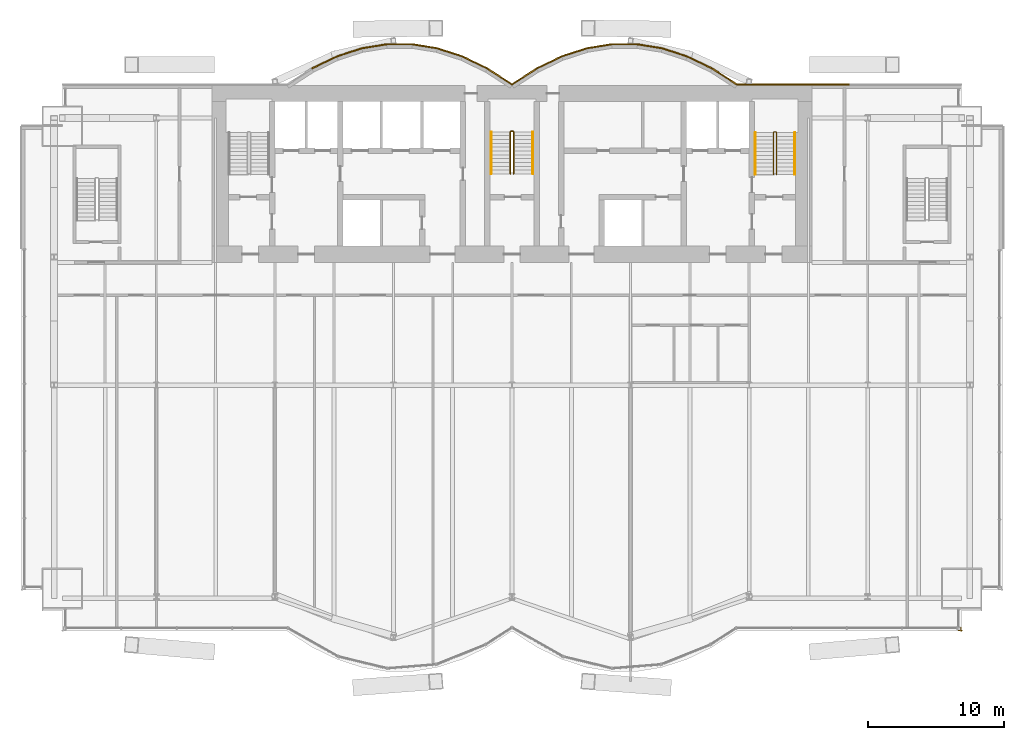
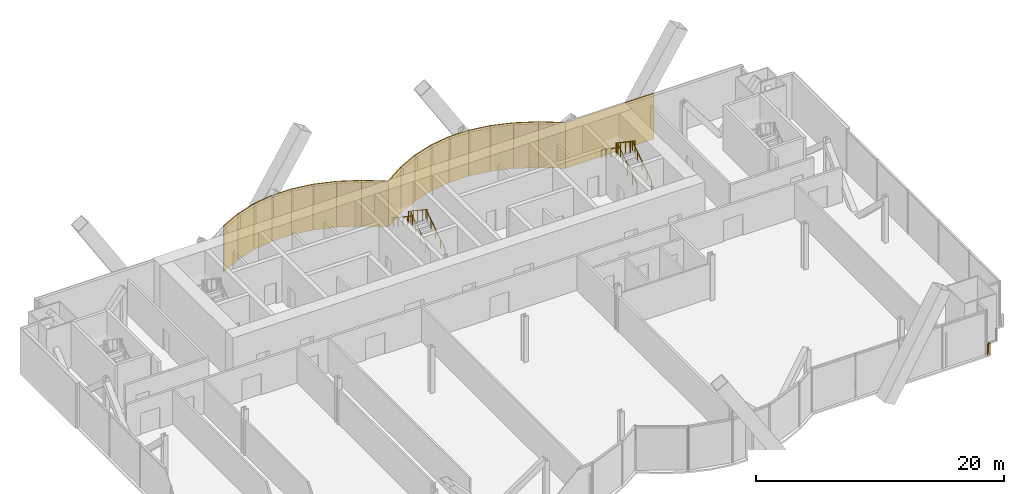
# One storey, part 21 of 22: 18 coverings, 7 railings.
"""IFC4 building model written with IfcOpenShell, lengths in metres."""

from ifc_helpers import new_model, si_unit, direction, frame, origin, origin_2d, place, context, subcontext, project, spatial, rectangle, circle, extrude, material, layer, layer_set, type_object, element, save


model = new_model("IFC4")

# Units and contexts
model_context = context("Model", 3, precision=1e-05, world=origin(), true_north=direction((0.0, 1.0)))
body_context = subcontext(model_context, "Body", "Model", "MODEL_VIEW")
ifc_project = project(units=[si_unit("LENGTHUNIT", "METRE"), si_unit("AREAUNIT", "SQUARE_METRE"), si_unit("VOLUMEUNIT", "CUBIC_METRE"), si_unit("PLANEANGLEUNIT", "RADIAN"), si_unit("MASSUNIT", "GRAM", prefix="KILO")], contexts=[model_context])

# Site, building, storey
site_placement = place(None, origin())
site = spatial("IfcSite", under=ifc_project, at=site_placement, CompositionType="ELEMENT")
building_placement = place(site_placement, origin())
building = spatial("IfcBuilding", under=site, at=building_placement, Name="Bicima Exchange Tower", CompositionType="ELEMENT")
storey_placement = place(building_placement, frame((0.0, 0.0, 71.0)))
storey = spatial("IfcBuildingStorey", under=building, at=storey_placement, Name="L14", CompositionType="ELEMENT", Elevation=71.0)

# Coverings
ifc_material_1 = material(Name="Bronze metal cladding")
ifc_layer_1 = layer(ifc_material_1, 0.004)
ifc_material_2 = material(Name="Ventilated cavity")
ifc_layer_2 = layer(ifc_material_2, 0.06)
ifc_material_3 = material(Name="Galvanised steel rail and mineral wool", Category="steel")
ifc_layer_3 = layer(ifc_material_3, 0.036)
ifc_layer_set = layer_set([ifc_layer_1, ifc_layer_2, ifc_layer_3], Name="Ventilated cavity")
covering_type = type_object("IfcCoveringType", Name="Bronze metal cladding panel 100", PredefinedType="CLADDING", material=ifc_layer_set)
covering_1_placement = place(storey_placement, frame((20.625, 0.050048828125, -0.14990234375), z_axis=(0.0, 0.0, 1.0), x_axis=(-1.0, 0.0, 0.0)))
element("IfcCovering", 1, at=covering_1_placement, inside=storey, type_object=covering_type, Name="Bronze cladding L14 1.2", PredefinedType="CLADDING", context=body_context, shape_type="SweptSolid", body=[
    extrude(rectangle(XDim=8.25, YDim=0.10009765625, at=origin_2d()), origin(), (0.0, 0.0, 1.0), 4.5),
])
covering_2_placement = place(storey_placement, frame((15.610595703125, 0.634521484375, -0.14990234375), z_axis=(0.0, 0.0, 1.0), x_axis=(-0.839790466384, 0.542910648791, 0.0)))
element("IfcCovering", 2, at=covering_2_placement, inside=storey, type_object=covering_type, Name="Bronze cladding L14 2.1", PredefinedType="CLADDING", context=body_context, shape_type="SweptSolid", body=[
    extrude(rectangle(XDim=2.18310546875, YDim=0.10009765625, at=origin_2d()), origin(), (0.0, 0.0, 1.0), 4.5),
])
covering_3_placement = place(storey_placement, frame((13.771728515625, 1.674560546875, -0.14990234375), z_axis=(0.0, 0.0, 1.0), x_axis=(-0.899818346812, 0.436264762204, 0.0)))
element("IfcCovering", 3, at=covering_3_placement, inside=storey, type_object=covering_type, Name="Bronze cladding L14 3.1", PredefinedType="CLADDING", context=body_context, shape_type="SweptSolid", body=[
    extrude(rectangle(XDim=2.03759765625, YDim=0.10009765625, at=origin_2d()), origin(), (0.0, 0.0, 1.0), 4.5),
])
covering_4_placement = place(storey_placement, frame((11.931884765625, 2.41796875, -0.14990234375), z_axis=(0.0, 0.0, 1.0), x_axis=(-0.951524642381, 0.307572519808, 0.0)))
element("IfcCovering", 4, at=covering_4_placement, inside=storey, type_object=covering_type, Name="Bronze cladding L14 4.1", PredefinedType="CLADDING", context=body_context, shape_type="SweptSolid", body=[
    extrude(rectangle(XDim=1.9267578125, YDim=0.10009765625, at=origin_2d()), origin(), (0.0, 0.0, 1.0), 4.5),
])
covering_5_placement = place(storey_placement, frame((10.09130859375, 2.8642578125, -0.14990234375), z_axis=(0.0, 0.0, 1.0), x_axis=(-0.987189786347, 0.159550386184, 0.0)))
element("IfcCovering", 5, at=covering_5_placement, inside=storey, type_object=covering_type, Name="Bronze cladding L14 5.1", PredefinedType="CLADDING", context=body_context, shape_type="SweptSolid", body=[
    extrude(rectangle(XDim=1.857177734375, YDim=0.10009765625, at=origin_2d()), origin(), (0.0, 0.0, 1.0), 4.5),
])
covering_6_placement = place(storey_placement, frame((8.25, 3.012939453125, -0.14990234375), z_axis=(0.0, 0.0, 1.0), x_axis=(-1.0, 0.0, 0.0)))
element("IfcCovering", 6, at=covering_6_placement, inside=storey, type_object=covering_type, Name="Bronze cladding L14 6.1", PredefinedType="CLADDING", context=body_context, shape_type="SweptSolid", body=[
    extrude(rectangle(XDim=1.83349609375, YDim=0.10009765625, at=origin_2d()), origin(), (0.0, 0.0, 1.0), 4.5),
])
covering_7_placement = place(storey_placement, frame((6.40869140625, 2.8642578125, -0.14990234375), z_axis=(0.0, 0.0, 1.0), x_axis=(-0.987189786347, -0.159550386184, 0.0)))
element("IfcCovering", 7, at=covering_7_placement, inside=storey, type_object=covering_type, Name="Bronze cladding L14 7.1", PredefinedType="CLADDING", context=body_context, shape_type="SweptSolid", body=[
    extrude(rectangle(XDim=1.857177734375, YDim=0.10009765625, at=origin_2d()), origin(), (0.0, 0.0, 1.0), 4.5),
])
covering_8_placement = place(storey_placement, frame((4.568115234375, 2.41796875, -0.14990234375), z_axis=(0.0, 0.0, 1.0), x_axis=(-0.951524642381, -0.307572519808, 0.0)))
element("IfcCovering", 8, at=covering_8_placement, inside=storey, type_object=covering_type, Name="Bronze cladding L14 8.1", PredefinedType="CLADDING", context=body_context, shape_type="SweptSolid", body=[
    extrude(rectangle(XDim=1.9267578125, YDim=0.10009765625, at=origin_2d()), origin(), (0.0, 0.0, 1.0), 4.5),
])
covering_9_placement = place(storey_placement, frame((2.728271484375, 1.674560546875, -0.14990234375), z_axis=(0.0, 0.0, 1.0), x_axis=(-0.899818346812, -0.436264762204, 0.0)))
element("IfcCovering", 9, at=covering_9_placement, inside=storey, type_object=covering_type, Name="Bronze cladding L14 9.1", PredefinedType="CLADDING", context=body_context, shape_type="SweptSolid", body=[
    extrude(rectangle(XDim=2.03759765625, YDim=0.10009765625, at=origin_2d()), origin(), (0.0, 0.0, 1.0), 4.5),
])
for number, where, z_axis, x_axis, name in (
    (10, (0.889404296875, 0.634521484375, -0.14990234375), (0.0, 0.0, 1.0), (-0.839790466384, -0.542910648791, 0.0), "Bronze cladding L14 10.1"),
    (11, (-0.889404296875, 0.634521484375, -0.14990234375), (0.0, 0.0, 1.0), (-0.839790466384, 0.542910648791, 0.0), "Bronze cladding L14 11.1"),
):
    element("IfcCovering", number, at=place(storey_placement, frame(where, z_axis=z_axis, x_axis=x_axis)), inside=storey, type_object=covering_type, Name=name, PredefinedType="CLADDING", context=body_context, shape_type="SweptSolid", body=[
        extrude(rectangle(XDim=2.18310546875, YDim=0.10009765625, at=origin_2d()), origin(), (0.0, 0.0, 1.0), 4.5),
    ])
covering_10_placement = place(storey_placement, frame((-2.728271484375, 1.674560546875, -0.14990234375), z_axis=(0.0, 0.0, 1.0), x_axis=(-0.899818346812, 0.436264762204, 0.0)))
element("IfcCovering", 12, at=covering_10_placement, inside=storey, type_object=covering_type, Name="Bronze cladding L14 12.1", PredefinedType="CLADDING", context=body_context, shape_type="SweptSolid", body=[
    extrude(rectangle(XDim=2.03759765625, YDim=0.10009765625, at=origin_2d()), origin(), (0.0, 0.0, 1.0), 4.5),
])
covering_11_placement = place(storey_placement, frame((-4.568115234375, 2.41796875, -0.14990234375), z_axis=(0.0, 0.0, 1.0), x_axis=(-0.951524642381, 0.307572519808, 0.0)))
element("IfcCovering", 13, at=covering_11_placement, inside=storey, type_object=covering_type, Name="Bronze cladding L14 13.1", PredefinedType="CLADDING", context=body_context, shape_type="SweptSolid", body=[
    extrude(rectangle(XDim=1.9267578125, YDim=0.10009765625, at=origin_2d()), origin(), (0.0, 0.0, 1.0), 4.5),
])
covering_12_placement = place(storey_placement, frame((-6.40869140625, 2.8642578125, -0.14990234375), z_axis=(0.0, 0.0, 1.0), x_axis=(-0.987189786347, 0.159550386184, 0.0)))
element("IfcCovering", 14, at=covering_12_placement, inside=storey, type_object=covering_type, Name="Bronze cladding L14 14.1", PredefinedType="CLADDING", context=body_context, shape_type="SweptSolid", body=[
    extrude(rectangle(XDim=1.857177734375, YDim=0.10009765625, at=origin_2d()), origin(), (0.0, 0.0, 1.0), 4.5),
])
covering_13_placement = place(storey_placement, frame((-8.25, 3.012939453125, -0.14990234375), z_axis=(0.0, 0.0, 1.0), x_axis=(-1.0, 0.0, 0.0)))
element("IfcCovering", 15, at=covering_13_placement, inside=storey, type_object=covering_type, Name="Bronze cladding L14 15.1", PredefinedType="CLADDING", context=body_context, shape_type="SweptSolid", body=[
    extrude(rectangle(XDim=1.83349609375, YDim=0.10009765625, at=origin_2d()), origin(), (0.0, 0.0, 1.0), 4.5),
])
covering_14_placement = place(storey_placement, frame((-10.09130859375, 2.8642578125, -0.14990234375), z_axis=(0.0, 0.0, 1.0), x_axis=(-0.987189786347, -0.159550386184, 0.0)))
element("IfcCovering", 16, at=covering_14_placement, inside=storey, type_object=covering_type, Name="Bronze cladding L14 16.1", PredefinedType="CLADDING", context=body_context, shape_type="SweptSolid", body=[
    extrude(rectangle(XDim=1.857177734375, YDim=0.10009765625, at=origin_2d()), origin(), (0.0, 0.0, 1.0), 4.5),
])
covering_15_placement = place(storey_placement, frame((-11.931884765625, 2.41796875, -0.14990234375), z_axis=(0.0, 0.0, 1.0), x_axis=(-0.951524642381, -0.307572519808, 0.0)))
element("IfcCovering", 17, at=covering_15_placement, inside=storey, type_object=covering_type, Name="Bronze cladding L14 17.1", PredefinedType="CLADDING", context=body_context, shape_type="SweptSolid", body=[
    extrude(rectangle(XDim=1.9267578125, YDim=0.10009765625, at=origin_2d()), origin(), (0.0, 0.0, 1.0), 4.5),
])
covering_16_placement = place(storey_placement, frame((-13.771728515625, 1.674560546875, -0.14990234375), z_axis=(0.0, 0.0, 1.0), x_axis=(-0.899818346812, -0.436264762204, 0.0)))
element("IfcCovering", 18, at=covering_16_placement, inside=storey, type_object=covering_type, Name="Bronze cladding L14 18.1", PredefinedType="CLADDING", context=body_context, shape_type="SweptSolid", body=[
    extrude(rectangle(XDim=2.03759765625, YDim=0.10009765625, at=origin_2d()), origin(), (0.0, 0.0, 1.0), 4.5),
])

# Railings
ifc_material_4 = material(Name="Stainless steel and bonded safety glass", Category="steel")
railing_type_1 = type_object("IfcRailingType", Name="Edge guard 1100", PredefinedType="GUARDRAIL", material=ifc_material_4)
railing_1_placement = place(storey_placement, frame((32.949951171875, -39.798095703125, 0.0)))
element("IfcRailing", 19, at=railing_1_placement, inside=storey, type_object=railing_type_1, Name="Edge guard L14 66", PredefinedType="GUARDRAIL", context=body_context, shape_type="SweptSolid", body=[
    extrude(circle(Radius=0.02392578125, at=origin_2d()), frame((0.0, 0.0, 1.076171875), z_axis=(0.0, -1.0, 0.0), x_axis=(1.0, 0.0, 0.0)), (0.0, 0.0, 1.0), 0.25),
    extrude(circle(Radius=0.02392578125, at=origin_2d()), frame((0.0, -0.25, 1.076171875), z_axis=(0.707106781187, 0.707106781187, 0.0), x_axis=(-0.707106781187, 0.707106781187, 0.0)), (0.0, 0.0, 1.0), 0.07080078125),
    extrude(circle(Radius=0.02392578125, at=origin_2d()), frame((0.050048828125, -0.199951171875, 1.076171875), z_axis=(-1.0, 0.0, 0.0), x_axis=(0.0, -1.0, 0.0)), (0.0, 0.0, 1.0), 0.25),
    extrude(circle(Radius=0.02099609375, at=origin_2d()), origin(), (0.0, 0.0, 1.0), 1.052001953125),
    extrude(circle(Radius=0.02099609375, at=origin_2d()), frame((0.0, -0.25, 0.0)), (0.0, 0.0, 1.0), 1.052001953125),
    extrude(circle(Radius=0.02099609375, at=origin_2d()), frame((0.050048828125, -0.199951171875, 0.0)), (0.0, 0.0, 1.0), 1.052001953125),
    extrude(circle(Radius=0.02099609375, at=origin_2d()), frame((-0.199951171875, -0.199951171875, 0.0)), (0.0, 0.0, 1.0), 1.052001953125),
])
ifc_material_5 = material(Name="Stainless steel", Category="steel")
railing_type_2 = type_object("IfcRailingType", Name="Stair guard 1100", PredefinedType="GUARDRAIL", material=ifc_material_5)
railing_2_placement = place(storey_placement, frame((0.125, -6.5, 0.1875)))
element("IfcRailing", 20, at=railing_2_placement, inside=storey, type_object=railing_type_2, Name="L14 ST-C stair guard 1", PredefinedType="GUARDRAIL", context=body_context, shape_type="SweptSolid", body=[
    extrude(circle(Radius=0.02392578125, at=origin_2d()), frame((0.0, 0.0, 1.076171875), z_axis=(0.0, 0.830913701846, 0.55640131208), x_axis=(-1.0, 0.0, 0.0)), (0.0, 0.0, 1.0), 3.706787109375),
    extrude(circle(Radius=0.02392578125, at=origin_2d()), frame((0.0, 3.080078125, 3.138671875), z_axis=(-0.708833529934, 0.705375805398, 0.0), x_axis=(-0.705375805398, -0.708833529934, 0.0)), (0.0, 0.0, 1.0), 0.070556640625),
    extrude(circle(Radius=0.02392578125, at=origin_2d()), frame((-0.050048828125, 3.1298828125, 3.138671875), z_axis=(-1.0, 0.0, 0.0), x_axis=(0.0, -1.0, 0.0)), (0.0, 0.0, 1.0), 0.14990234375),
    extrude(circle(Radius=0.02392578125, at=origin_2d()), frame((-0.199951171875, 3.1298828125, 3.138671875), z_axis=(-0.249802250048, -0.248583702486, 0.935844527007), x_axis=(0.705375805398, -0.708833529934, 0.0)), (0.0, 0.0, 1.0), 0.200439453125),
    extrude(circle(Radius=0.02392578125, at=origin_2d()), frame((-0.25, 3.080078125, 3.326171875), z_axis=(0.0, -0.830913701846, 0.55640131208), x_axis=(1.0, 0.0, 0.0)), (0.0, 0.0, 1.0), 3.706787109375),
    extrude(circle(Radius=0.02099609375, at=origin_2d()), origin(), (0.0, 0.0, 1.0), 1.052001953125),
    extrude(circle(Radius=0.02099609375, at=origin_2d()), frame((0.0, 0.77001953125, 0.515625)), (0.0, 0.0, 1.0), 1.052001953125),
    extrude(circle(Radius=0.02099609375, at=origin_2d()), frame((0.0, 1.5400390625, 1.03125)), (0.0, 0.0, 1.0), 1.052001953125),
    extrude(circle(Radius=0.02099609375, at=origin_2d()), frame((0.0, 2.31005859375, 1.546875)), (0.0, 0.0, 1.0), 1.052001953125),
    extrude(circle(Radius=0.02099609375, at=origin_2d()), frame((0.0, 3.080078125, 2.0625)), (0.0, 0.0, 1.0), 1.052001953125),
    extrude(circle(Radius=0.02099609375, at=origin_2d()), frame((-0.050048828125, 3.1298828125, 2.0625)), (0.0, 0.0, 1.0), 1.052001953125),
    extrude(circle(Radius=0.02099609375, at=origin_2d()), frame((-0.199951171875, 3.1298828125, 2.0625)), (0.0, 0.0, 1.0), 1.052001953125),
    extrude(circle(Radius=0.02099609375, at=origin_2d()), frame((-0.25, 3.080078125, 2.25)), (0.0, 0.0, 1.0), 1.052001953125),
    extrude(circle(Radius=0.02099609375, at=origin_2d()), frame((-0.25, 2.31005859375, 2.765625)), (0.0, 0.0, 1.0), 1.052001953125),
    extrude(circle(Radius=0.02099609375, at=origin_2d()), frame((-0.25, 1.5400390625, 3.28125)), (0.0, 0.0, 1.0), 1.052001953125),
    extrude(circle(Radius=0.02099609375, at=origin_2d()), frame((-0.25, 0.77001953125, 3.796875)), (0.0, 0.0, 1.0), 1.052001953125),
    extrude(circle(Radius=0.02099609375, at=origin_2d()), frame((-0.25, 0.0, 4.3125)), (0.0, 0.0, 1.0), 1.052001953125),
])
railing_3_placement = place(storey_placement, frame((19.39990234375, -6.550048828125, 0.1875)))
element("IfcRailing", 21, at=railing_3_placement, inside=storey, type_object=railing_type_2, Name="L14 ST-E stair guard 1", PredefinedType="GUARDRAIL", context=body_context, shape_type="SweptSolid", body=[
    extrude(circle(Radius=0.02392578125, at=origin_2d()), frame((0.0, 0.0, 1.076171875), z_axis=(0.0, 0.830913701846, 0.55640131208), x_axis=(-1.0, 0.0, 0.0)), (0.0, 0.0, 1.0), 3.706787109375),
    extrude(circle(Radius=0.02392578125, at=origin_2d()), frame((0.0, 3.080078125, 3.138671875), z_axis=(-0.705375805398, 0.708833529934, 0.0), x_axis=(-0.708833529934, -0.705375805398, 0.0)), (0.0, 0.0, 1.0), 0.070556640625),
    extrude(circle(Radius=0.02392578125, at=origin_2d()), frame((-0.0498046875, 3.130126953125, 3.138671875), z_axis=(-1.0, 0.0, 0.0), x_axis=(0.0, -1.0, 0.0)), (0.0, 0.0, 1.0), 0.10009765625),
    extrude(circle(Radius=0.02392578125, at=origin_2d()), frame((-0.14990234375, 3.130126953125, 3.138671875), z_axis=(-0.249726431254, -0.249726431254, 0.935560483917), x_axis=(0.707106781187, -0.707106781187, 0.0)), (0.0, 0.0, 1.0), 0.200439453125),
    extrude(circle(Radius=0.02392578125, at=origin_2d()), frame((-0.199951171875, 3.080078125, 3.326171875), z_axis=(0.0, -0.830913701846, 0.55640131208), x_axis=(1.0, 0.0, 0.0)), (0.0, 0.0, 1.0), 3.706787109375),
    extrude(circle(Radius=0.02099609375, at=origin_2d()), origin(), (0.0, 0.0, 1.0), 1.052001953125),
    extrude(circle(Radius=0.02099609375, at=origin_2d()), frame((0.0, 0.77001953125, 0.515625)), (0.0, 0.0, 1.0), 1.052001953125),
    extrude(circle(Radius=0.02099609375, at=origin_2d()), frame((0.0, 1.5400390625, 1.03125)), (0.0, 0.0, 1.0), 1.052001953125),
    extrude(circle(Radius=0.02099609375, at=origin_2d()), frame((0.0, 2.31005859375, 1.546875)), (0.0, 0.0, 1.0), 1.052001953125),
    extrude(circle(Radius=0.02099609375, at=origin_2d()), frame((0.0, 3.080078125, 2.0625)), (0.0, 0.0, 1.0), 1.052001953125),
    extrude(circle(Radius=0.02099609375, at=origin_2d()), frame((-0.0498046875, 3.130126953125, 2.0625)), (0.0, 0.0, 1.0), 1.052001953125),
    extrude(circle(Radius=0.02099609375, at=origin_2d()), frame((-0.14990234375, 3.130126953125, 2.0625)), (0.0, 0.0, 1.0), 1.052001953125),
    extrude(circle(Radius=0.02099609375, at=origin_2d()), frame((-0.199951171875, 3.080078125, 2.25)), (0.0, 0.0, 1.0), 1.052001953125),
    extrude(circle(Radius=0.02099609375, at=origin_2d()), frame((-0.199951171875, 2.31005859375, 2.765625)), (0.0, 0.0, 1.0), 1.052001953125),
    extrude(circle(Radius=0.02099609375, at=origin_2d()), frame((-0.199951171875, 1.5400390625, 3.28125)), (0.0, 0.0, 1.0), 1.052001953125),
    extrude(circle(Radius=0.02099609375, at=origin_2d()), frame((-0.199951171875, 0.77001953125, 3.796875)), (0.0, 0.0, 1.0), 1.052001953125),
    extrude(circle(Radius=0.02099609375, at=origin_2d()), frame((-0.199951171875, 0.0, 4.3125)), (0.0, 0.0, 1.0), 1.052001953125),
])
railing_type_3 = type_object("IfcRailingType", Name="Stair handrail 900", PredefinedType="HANDRAIL", material=ifc_material_5)
railing_4_placement = place(storey_placement, frame((1.52490234375, -6.5, 0.1875)))
element("IfcRailing", 22, at=railing_4_placement, inside=storey, type_object=railing_type_3, Name="L14 ST-C stair handrail 1", PredefinedType="HANDRAIL", context=body_context, shape_type="SweptSolid", body=[
    extrude(circle(Radius=0.02392578125, at=origin_2d()), frame((0.0, 0.0, 0.8759765625), z_axis=(0.0, 0.830913701846, 0.55640131208), x_axis=(-1.0, 0.0, 0.0)), (0.0, 0.0, 1.0), 3.706787109375),
    extrude(circle(Radius=0.02099609375, at=origin_2d()), origin(), (0.0, 0.0, 1.0), 0.851806640625),
    extrude(circle(Radius=0.02099609375, at=origin_2d()), frame((0.0, 0.77001953125, 0.515625)), (0.0, 0.0, 1.0), 0.851806640625),
    extrude(circle(Radius=0.02099609375, at=origin_2d()), frame((0.0, 1.5400390625, 1.03125)), (0.0, 0.0, 1.0), 0.851806640625),
    extrude(circle(Radius=0.02099609375, at=origin_2d()), frame((0.0, 2.31005859375, 1.546875)), (0.0, 0.0, 1.0), 0.851806640625),
    extrude(circle(Radius=0.02099609375, at=origin_2d()), frame((0.0, 3.080078125, 2.0625)), (0.0, 0.0, 1.0), 0.851806640625),
])
railing_5_placement = place(storey_placement, frame((-1.52490234375, -3.419921875, 2.47900390625)))
element("IfcRailing", 23, at=railing_5_placement, inside=storey, type_object=railing_type_3, Name="L14 ST-C stair handrail 2", PredefinedType="HANDRAIL", context=body_context, shape_type="SweptSolid", body=[
    extrude(circle(Radius=0.02392578125, at=origin_2d()), frame((0.0, 0.0, 0.8759765625), z_axis=(0.0, -0.830913701846, 0.55640131208), x_axis=(1.0, 0.0, 0.0)), (0.0, 0.0, 1.0), 3.706787109375),
    extrude(circle(Radius=0.02099609375, at=origin_2d()), origin(), (0.0, 0.0, 1.0), 0.851806640625),
    extrude(circle(Radius=0.02099609375, at=origin_2d()), frame((0.0, -0.77001953125, 0.515625)), (0.0, 0.0, 1.0), 0.851806640625),
    extrude(circle(Radius=0.02099609375, at=origin_2d()), frame((0.0, -1.5400390625, 1.03125)), (0.0, 0.0, 1.0), 0.851806640625),
    extrude(circle(Radius=0.02099609375, at=origin_2d()), frame((0.0, -2.31005859375, 1.546875)), (0.0, 0.0, 1.0), 0.851806640625),
    extrude(circle(Radius=0.02099609375, at=origin_2d()), frame((0.0, -3.080078125, 2.0625)), (0.0, 0.0, 1.0), 0.851806640625),
])
railing_6_placement = place(storey_placement, frame((20.75, -6.550048828125, 0.1875)))
element("IfcRailing", 24, at=railing_6_placement, inside=storey, type_object=railing_type_3, Name="L14 ST-E stair handrail 1", PredefinedType="HANDRAIL", context=body_context, shape_type="SweptSolid", body=[
    extrude(circle(Radius=0.02392578125, at=origin_2d()), frame((0.0, 0.0, 0.8759765625), z_axis=(0.0, 0.830913701846, 0.55640131208), x_axis=(-1.0, 0.0, 0.0)), (0.0, 0.0, 1.0), 3.706787109375),
    extrude(circle(Radius=0.02099609375, at=origin_2d()), origin(), (0.0, 0.0, 1.0), 0.851806640625),
    extrude(circle(Radius=0.02099609375, at=origin_2d()), frame((0.0, 0.77001953125, 0.515625)), (0.0, 0.0, 1.0), 0.851806640625),
    extrude(circle(Radius=0.02099609375, at=origin_2d()), frame((0.0, 1.5400390625, 1.03125)), (0.0, 0.0, 1.0), 0.851806640625),
    extrude(circle(Radius=0.02099609375, at=origin_2d()), frame((0.0, 2.31005859375, 1.546875)), (0.0, 0.0, 1.0), 0.851806640625),
    extrude(circle(Radius=0.02099609375, at=origin_2d()), frame((0.0, 3.080078125, 2.0625)), (0.0, 0.0, 1.0), 0.851806640625),
])
railing_7_placement = place(storey_placement, frame((17.85009765625, -3.469970703125, 2.47900390625)))
element("IfcRailing", 25, at=railing_7_placement, inside=storey, type_object=railing_type_3, Name="L14 ST-E stair handrail 2", PredefinedType="HANDRAIL", context=body_context, shape_type="SweptSolid", body=[
    extrude(circle(Radius=0.02392578125, at=origin_2d()), frame((0.0, 0.0, 0.8759765625), z_axis=(0.0, -0.830913701846, 0.55640131208), x_axis=(1.0, 0.0, 0.0)), (0.0, 0.0, 1.0), 3.706787109375),
    extrude(circle(Radius=0.02099609375, at=origin_2d()), origin(), (0.0, 0.0, 1.0), 0.851806640625),
    extrude(circle(Radius=0.02099609375, at=origin_2d()), frame((0.0, -0.77001953125, 0.515625)), (0.0, 0.0, 1.0), 0.851806640625),
    extrude(circle(Radius=0.02099609375, at=origin_2d()), frame((0.0, -1.5400390625, 1.03125)), (0.0, 0.0, 1.0), 0.851806640625),
    extrude(circle(Radius=0.02099609375, at=origin_2d()), frame((0.0, -2.31005859375, 1.546875)), (0.0, 0.0, 1.0), 0.851806640625),
    extrude(circle(Radius=0.02099609375, at=origin_2d()), frame((0.0, -3.080078125, 2.0625)), (0.0, 0.0, 1.0), 0.851806640625),
])

save(model, "model.ifc")
